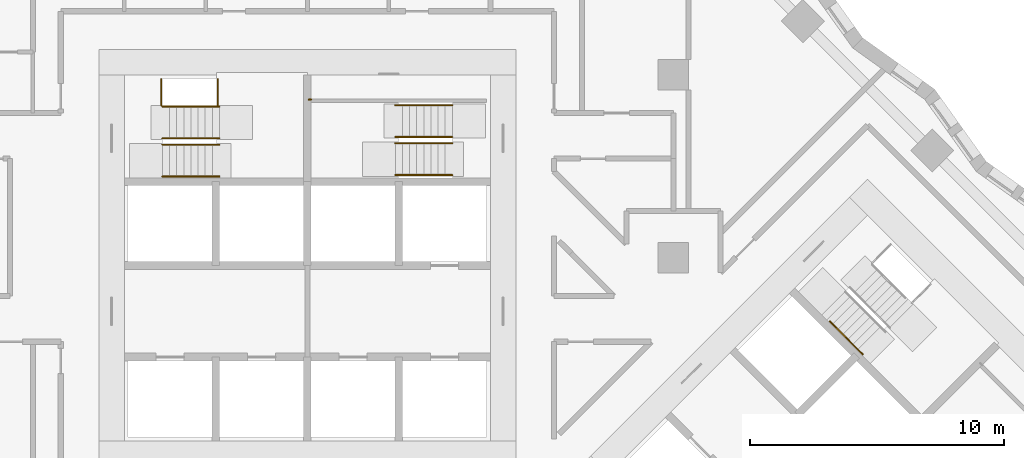
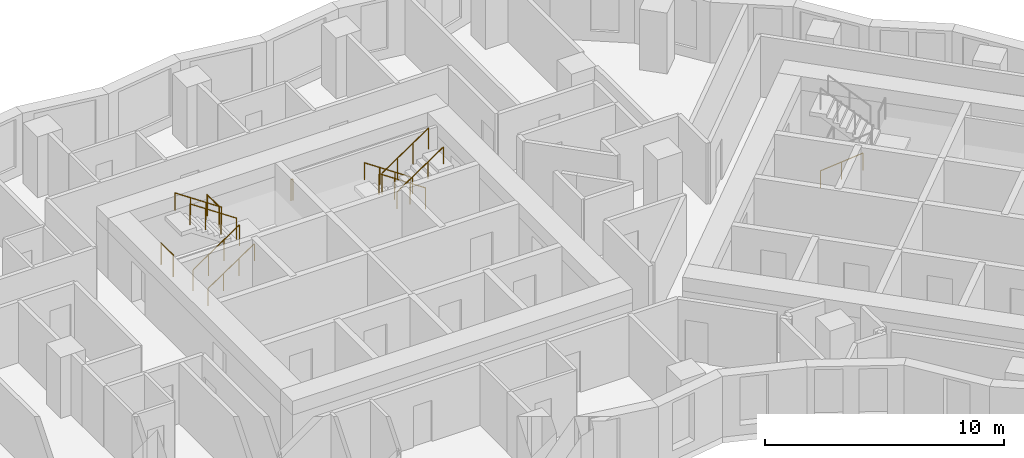
# One storey, part 11 of 12: 12 railings.
"""IFC4 building model written with IfcOpenShell, lengths in metres."""

from ifc_helpers import new_model, si_unit, direction, frame, origin, origin_2d, place, context, subcontext, project, spatial, circle, extrude, material, type_object, element, save


model = new_model("IFC4")

# Units and contexts
model_context = context("Model", 3, precision=1e-05, world=origin(), true_north=direction((0.0, 1.0)))
body_context = subcontext(model_context, "Body", "Model", "MODEL_VIEW")
ifc_project = project(units=[si_unit("LENGTHUNIT", "METRE"), si_unit("AREAUNIT", "SQUARE_METRE"), si_unit("VOLUMEUNIT", "CUBIC_METRE"), si_unit("PLANEANGLEUNIT", "RADIAN"), si_unit("MASSUNIT", "GRAM", prefix="KILO")], contexts=[model_context])

# Site, building, storey
site_placement = place(None, origin())
site = spatial("IfcSite", under=ifc_project, at=site_placement, CompositionType="ELEMENT")
building_placement = place(site_placement, origin())
building = spatial("IfcBuilding", under=site, at=building_placement, Name="Windrow Commons", CompositionType="ELEMENT")
storey_placement = place(building_placement, frame((0.0, 0.0, 57.6)))
storey = spatial("IfcBuildingStorey", under=building, at=storey_placement, Name="L15", CompositionType="ELEMENT", Elevation=57.6)

# Railings
ifc_material_1 = material(Name="Steel S355", Category="steel")
railing_type_1 = type_object("IfcRailingType", Name="Core stair guard 1100", PredefinedType="GUARDRAIL", material=ifc_material_1)
railing_1_placement = place(storey_placement, frame((59.1, 62.05, 0.1889)))
element("IfcRailing", 1, at=railing_1_placement, inside=storey, type_object=railing_type_1, Name="L15 ST-A1 stair guard 1", PredefinedType="GUARDRAIL", context=body_context, shape_type="SweptSolid", body=[
    extrude(circle(Radius=0.024, at=origin_2d()), frame((0.0, 0.0, 1.076), z_axis=(0.8290030985, 0.0, 0.5592440099), x_axis=(0.0, 1.0, 0.0)), (0.0, 0.0, 1.0), 2.702),
    extrude(circle(Radius=0.021, at=origin_2d()), origin(), (0.0, 0.0, 1.0), 1.052),
    extrude(circle(Radius=0.021, at=origin_2d()), frame((0.7467, 0.0, 0.5037)), (0.0, 0.0, 1.0), 1.052),
    extrude(circle(Radius=0.021, at=origin_2d()), frame((1.4933, 0.0, 1.0074)), (0.0, 0.0, 1.0), 1.052),
    extrude(circle(Radius=0.021, at=origin_2d()), frame((2.24, 0.0, 1.5111)), (0.0, 0.0, 1.0), 1.052),
])
railing_2_placement = place(storey_placement, frame((61.34, 62.3, 1.8889)))
element("IfcRailing", 2, at=railing_2_placement, inside=storey, type_object=railing_type_1, Name="L15 ST-A1 stair guard 2", PredefinedType="GUARDRAIL", context=body_context, shape_type="SweptSolid", body=[
    extrude(circle(Radius=0.024, at=origin_2d()), frame((0.0, 0.0, 1.076), z_axis=(-0.8290030985, 0.0, 0.5592440099), x_axis=(0.0, -1.0, 0.0)), (0.0, 0.0, 1.0), 2.702),
    extrude(circle(Radius=0.021, at=origin_2d()), origin(), (0.0, 0.0, 1.0), 1.052),
    extrude(circle(Radius=0.021, at=origin_2d()), frame((-0.7467, 0.0, 0.5037)), (0.0, 0.0, 1.0), 1.052),
    extrude(circle(Radius=0.021, at=origin_2d()), frame((-1.4933, 0.0, 1.0074)), (0.0, 0.0, 1.0), 1.052),
    extrude(circle(Radius=0.021, at=origin_2d()), frame((-2.24, 0.0, 1.5111)), (0.0, 0.0, 1.0), 1.052),
])
for number, where, name in (
    (3, (59.05, 63.6, 0.0), "L15 ST-A1 stair guard 3"),
    (4, (61.27, 63.6, 1.7), "L15 ST-A1 stair guard 4"),
):
    element("IfcRailing", number, at=place(storey_placement, frame(where)), inside=storey, type_object=railing_type_1, Name=name, PredefinedType="GUARDRAIL", context=body_context, shape_type="SweptSolid", body=[
        extrude(circle(Radius=0.024, at=origin_2d()), frame((0.0, 0.0, 1.076), z_axis=(0.0, 1.0, 0.0), x_axis=(-1.0, 0.0, 0.0)), (0.0, 0.0, 1.0), 1.03),
        extrude(circle(Radius=0.021, at=origin_2d()), origin(), (0.0, 0.0, 1.0), 1.052),
        extrude(circle(Radius=0.021, at=origin_2d()), frame((0.0, 1.03, 0.0)), (0.0, 0.0, 1.0), 1.052),
    ])
railing_3_placement = place(storey_placement, frame((70.5, 62.355, 0.1889)))
element("IfcRailing", 5, at=railing_3_placement, inside=storey, type_object=railing_type_1, Name="L15 ST-A2 stair guard 1", PredefinedType="GUARDRAIL", context=body_context, shape_type="SweptSolid", body=[
    extrude(circle(Radius=0.024, at=origin_2d()), frame((0.0, 0.0, 1.076), z_axis=(-0.8290030985, 0.0, 0.5592440099), x_axis=(0.0, -1.0, 0.0)), (0.0, 0.0, 1.0), 2.702),
    extrude(circle(Radius=0.021, at=origin_2d()), origin(), (0.0, 0.0, 1.0), 1.052),
    extrude(circle(Radius=0.021, at=origin_2d()), frame((-0.7467, 0.0, 0.5037)), (0.0, 0.0, 1.0), 1.052),
    extrude(circle(Radius=0.021, at=origin_2d()), frame((-1.4933, 0.0, 1.0074)), (0.0, 0.0, 1.0), 1.052),
    extrude(circle(Radius=0.021, at=origin_2d()), frame((-2.24, 0.0, 1.5111)), (0.0, 0.0, 1.0), 1.052),
])
railing_4_placement = place(storey_placement, frame((68.26, 62.105, 1.8889)))
element("IfcRailing", 6, at=railing_4_placement, inside=storey, type_object=railing_type_1, Name="L15 ST-A2 stair guard 2", PredefinedType="GUARDRAIL", context=body_context, shape_type="SweptSolid", body=[
    extrude(circle(Radius=0.024, at=origin_2d()), frame((0.0, 0.0, 1.076), z_axis=(0.8290030985, 0.0, 0.5592440099), x_axis=(0.0, 1.0, 0.0)), (0.0, 0.0, 1.0), 2.702),
    extrude(circle(Radius=0.021, at=origin_2d()), origin(), (0.0, 0.0, 1.0), 1.052),
    extrude(circle(Radius=0.021, at=origin_2d()), frame((0.7467, 0.0, 0.5037)), (0.0, 0.0, 1.0), 1.052),
    extrude(circle(Radius=0.021, at=origin_2d()), frame((1.4933, 0.0, 1.0074)), (0.0, 0.0, 1.0), 1.052),
    extrude(circle(Radius=0.021, at=origin_2d()), frame((2.24, 0.0, 1.5111)), (0.0, 0.0, 1.0), 1.052),
])
railing_5_placement = place(storey_placement, frame((64.95, 63.825, 1.7)))
element("IfcRailing", 7, at=railing_5_placement, inside=storey, type_object=railing_type_1, Name="L15 ST-A2 stair guard 3", PredefinedType="GUARDRAIL", context=body_context, shape_type="SweptSolid", body=[
    extrude(circle(Radius=0.024, at=origin_2d()), frame((0.0, 0.0, 1.076), z_axis=(-1.0, 0.0, 0.0), x_axis=(0.0, -1.0, 0.0)), (0.0, 0.0, 1.0), 0.1),
    extrude(circle(Radius=0.021, at=origin_2d()), origin(), (0.0, 0.0, 1.0), 1.052),
    extrude(circle(Radius=0.021, at=origin_2d()), frame((-0.1, 0.0, 0.0)), (0.0, 0.0, 1.0), 1.052),
])
ifc_material_2 = material(Name="Steel S355", Category="steel")
railing_type_2 = type_object("IfcRailingType", Name="Core stair handrail 900", PredefinedType="HANDRAIL", material=ifc_material_2)
railing_6_placement = place(storey_placement, frame((59.1, 60.8, 0.1889)))
element("IfcRailing", 8, at=railing_6_placement, inside=storey, type_object=railing_type_2, Name="L15 ST-A1 stair handrail 1", PredefinedType="HANDRAIL", context=body_context, shape_type="SweptSolid", body=[
    extrude(circle(Radius=0.024, at=origin_2d()), frame((0.0, 0.0, 0.876), z_axis=(0.8290030985, 0.0, 0.5592440099), x_axis=(0.0, 1.0, 0.0)), (0.0, 0.0, 1.0), 2.702),
    extrude(circle(Radius=0.021, at=origin_2d()), origin(), (0.0, 0.0, 1.0), 0.852),
    extrude(circle(Radius=0.021, at=origin_2d()), frame((0.7467, 0.0, 0.5037)), (0.0, 0.0, 1.0), 0.852),
    extrude(circle(Radius=0.021, at=origin_2d()), frame((1.4933, 0.0, 1.0074)), (0.0, 0.0, 1.0), 0.852),
    extrude(circle(Radius=0.021, at=origin_2d()), frame((2.24, 0.0, 1.5111)), (0.0, 0.0, 1.0), 0.852),
])
for number, where, name in (
    (9, (61.34, 63.55, 1.8889), "L15 ST-A1 stair handrail 2"),
    (10, (70.5, 63.605, 0.1889), "L15 ST-A2 stair handrail 1"),
):
    element("IfcRailing", number, at=place(storey_placement, frame(where)), inside=storey, type_object=railing_type_2, Name=name, PredefinedType="HANDRAIL", context=body_context, shape_type="SweptSolid", body=[
        extrude(circle(Radius=0.024, at=origin_2d()), frame((0.0, 0.0, 0.876), z_axis=(-0.8290030985, 0.0, 0.5592440099), x_axis=(0.0, -1.0, 0.0)), (0.0, 0.0, 1.0), 2.702),
        extrude(circle(Radius=0.021, at=origin_2d()), origin(), (0.0, 0.0, 1.0), 0.852),
        extrude(circle(Radius=0.021, at=origin_2d()), frame((-0.7467, 0.0, 0.5037)), (0.0, 0.0, 1.0), 0.852),
        extrude(circle(Radius=0.021, at=origin_2d()), frame((-1.4933, 0.0, 1.0074)), (0.0, 0.0, 1.0), 0.852),
        extrude(circle(Radius=0.021, at=origin_2d()), frame((-2.24, 0.0, 1.5111)), (0.0, 0.0, 1.0), 0.852),
    ])
railing_7_placement = place(storey_placement, frame((68.26, 60.855, 1.8889)))
element("IfcRailing", 11, at=railing_7_placement, inside=storey, type_object=railing_type_2, Name="L15 ST-A2 stair handrail 2", PredefinedType="HANDRAIL", context=body_context, shape_type="SweptSolid", body=[
    extrude(circle(Radius=0.024, at=origin_2d()), frame((0.0, 0.0, 0.876), z_axis=(0.8290030985, 0.0, 0.5592440099), x_axis=(0.0, 1.0, 0.0)), (0.0, 0.0, 1.0), 2.702),
    extrude(circle(Radius=0.021, at=origin_2d()), origin(), (0.0, 0.0, 1.0), 0.852),
    extrude(circle(Radius=0.021, at=origin_2d()), frame((0.7467, 0.0, 0.5037)), (0.0, 0.0, 1.0), 0.852),
    extrude(circle(Radius=0.021, at=origin_2d()), frame((1.4933, 0.0, 1.0074)), (0.0, 0.0, 1.0), 0.852),
    extrude(circle(Radius=0.021, at=origin_2d()), frame((2.24, 0.0, 1.5111)), (0.0, 0.0, 1.0), 0.852),
])
railing_8_placement = place(storey_placement, frame((85.3518, 55.1001, 0.4587)))
element("IfcRailing", 12, at=railing_8_placement, inside=storey, type_object=railing_type_2, Name="L15 ST-B1 stair handrail 1", PredefinedType="HANDRAIL", context=body_context, shape_type="SweptSolid", body=[
    extrude(circle(Radius=0.024, at=origin_2d()), frame((0.0, 0.0, 0.876), z_axis=(0.586206706, -0.5861616513, 0.5592639952), x_axis=(0.7070796062, 0.7071339551, 0.0)), (0.0, 0.0, 1.0), 2.2195),
    extrude(circle(Radius=0.021, at=origin_2d()), origin(), (0.0, 0.0, 1.0), 0.852),
    extrude(circle(Radius=0.021, at=origin_2d()), frame((0.6506, -0.6505, 0.6206)), (0.0, 0.0, 1.0), 0.852),
    extrude(circle(Radius=0.021, at=origin_2d()), frame((1.3011, -1.301, 1.2413)), (0.0, 0.0, 1.0), 0.852),
])

save(model, "model.ifc")
